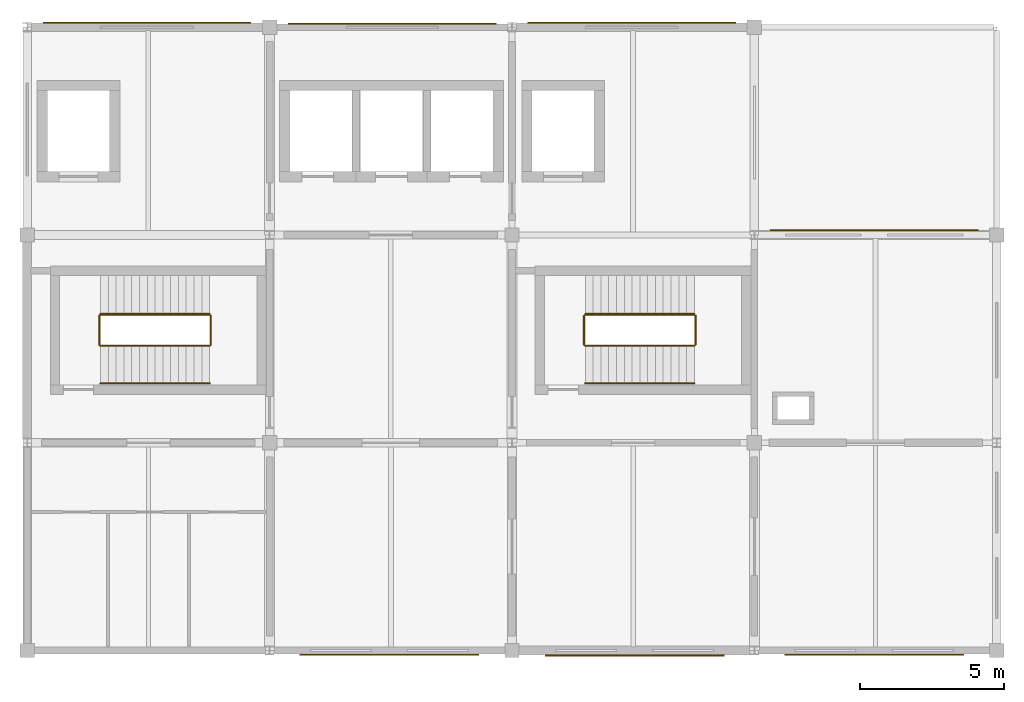
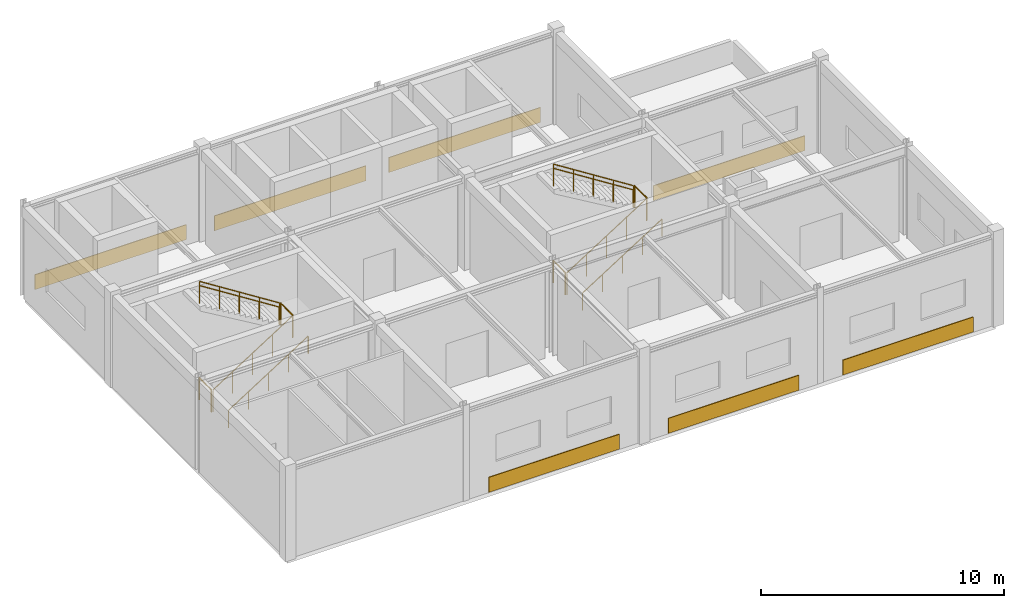
# One storey, part 5 of 5: 12 railings, 7 coverings.
"""IFC4 building model written with IfcOpenShell, lengths in metres."""

from ifc_helpers import new_model, si_unit, derived_unit, direction, frame, origin, origin_2d, place, context, subcontext, project, spatial, rectangle, circle, extrude, material, layer, layer_set, type_object, element, save


model = new_model("IFC4")

# Units and contexts
model_context = context("Model", 3, precision=1e-05, world=origin(), true_north=direction((0.0, 1.0)))
body_context = subcontext(model_context, "Body", "Model", "MODEL_VIEW")
ifc_project = project(units=[si_unit("LENGTHUNIT", "METRE"), si_unit("AREAUNIT", "SQUARE_METRE"), si_unit("VOLUMEUNIT", "CUBIC_METRE"), si_unit("PLANEANGLEUNIT", "RADIAN"), si_unit("MASSUNIT", "GRAM", prefix="KILO"), derived_unit("THERMALTRANSMITTANCEUNIT", [(si_unit("MASSUNIT", "GRAM", prefix="KILO"), 1), (si_unit("TIMEUNIT", "SECOND"), -3), (si_unit("THERMODYNAMICTEMPERATUREUNIT", "KELVIN"), -1)])], contexts=[model_context])

# Site, building, storey
site_placement = place(None, origin())
site = spatial("IfcSite", under=ifc_project, at=site_placement, CompositionType="ELEMENT")
building_placement = place(site_placement, origin())
building = spatial("IfcBuilding", under=site, at=building_placement, Name="Veldstrom Oceanarium and Marine Research Institute", CompositionType="ELEMENT")
storey_placement = place(building_placement, frame((0.0, 0.0, 69.0)))
storey = spatial("IfcBuildingStorey", under=building, at=storey_placement, Name="L15", CompositionType="ELEMENT", Elevation=69.0)

# Coverings
ifc_material_1 = material(Name="Anodised Aluminium Spandrel Rainscreen Cladding", Category="aluminium")
ifc_layer_1 = layer(ifc_material_1, 0.75)
ifc_layer_set_1 = layer_set([ifc_layer_1], Name="ARC-COV-CD1")
covering_type_1 = type_object("IfcCoveringType", Name="ARC-COV-CD1", PredefinedType="CLADDING", material=ifc_layer_set_1)
for number, where, z_axis, x_axis, name in (
    (1, (79.75, 64.95849609375, 0.044921875), (0.0, 0.0, 1.0), (1.0, 0.0, 0.0), "Spandrel Rainscreen Cladding L15-184"),
    (2, (88.25, 64.9208984375, 0.044921875), (0.0, 0.0, 1.0), (1.0, 0.0, 0.0), "Spandrel Rainscreen Cladding L15-186"),
    (3, (96.550048828125, 64.95849609375, 0.044921875), (0.0, 0.0, 1.0), (1.0, 0.0, 0.0), "Spandrel Rainscreen Cladding L15-188"),
    (4, (104.949951171875, 57.7685546875, 0.044921875), (0.0, 0.0, 1.0), (1.0, 0.0, 0.0), "Spandrel Rainscreen Cladding L15-190"),
):
    element("IfcCovering", number, at=place(storey_placement, frame(where, z_axis=z_axis, x_axis=x_axis)), inside=storey, type_object=covering_type_1, Name=name, PredefinedType="CLADDING", context=body_context, shape_type="SweptSolid", body=[
        extrude(rectangle(XDim=7.199951171875, YDim=0.034912109375, at=origin_2d()), origin(), (0.0, 0.0, 1.0), 0.75),
    ])
ifc_material_2 = material(Name="Terracotta Spandrel Rainscreen Cladding", Category="masonry")
ifc_layer_2 = layer(ifc_material_2, 0.75)
ifc_layer_set_2 = layer_set([ifc_layer_2], Name="ARC-COV-CD2")
covering_type_2 = type_object("IfcCoveringType", Name="ARC-COV-CD2", PredefinedType="CLADDING", material=ifc_layer_set_2)
for number, where, z_axis, x_axis, name in (
    (5, (88.14990234375, 43.05908203125, 0.044921875), (0.0, 0.0, 1.0), (1.0, 0.0, 0.0), "Spandrel Rainscreen Cladding L15-185"),
    (6, (96.64990234375, 43.029052734375, 0.044921875), (0.0, 0.0, 1.0), (1.0, 0.0, 0.0), "Spandrel Rainscreen Cladding L15-187"),
    (7, (104.949951171875, 43.05908203125, 0.044921875), (0.0, 0.0, 1.0), (1.0, 0.0, 0.0), "Spandrel Rainscreen Cladding L15-189"),
):
    element("IfcCovering", number, at=place(storey_placement, frame(where, z_axis=z_axis, x_axis=x_axis)), inside=storey, type_object=covering_type_2, Name=name, PredefinedType="CLADDING", context=body_context, shape_type="SweptSolid", body=[
        extrude(rectangle(XDim=6.199951171875, YDim=0.0400390625, at=origin_2d()), origin(), (0.0, 0.0, 1.0), 0.75),
    ])

# Railings
ifc_material_3 = material(Name="Duplex Stainless Steel Balustrade", Category="steel")
ifc_layer_3 = layer(ifc_material_3, 0.06005859375)
ifc_layer_set_3 = layer_set([ifc_layer_3], Name="ARC-RLG-GR1")
railing_type_1 = type_object("IfcRailingType", Name="ARC-RLG-GR1", PredefinedType="GUARDRAIL", material=ifc_layer_set_3)
railing_1_placement = place(storey_placement, frame((78.10009765625, 53.800048828125, 0.0)))
element("IfcRailing", 8, at=railing_1_placement, inside=storey, type_object=railing_type_1, Name="Stair Well Landing Guard ST1 L15", PredefinedType="GUARDRAIL", context=body_context, shape_type="SweptSolid", body=[
    extrude(circle(Radius=0.02392578125, at=origin_2d()), frame((0.0, 0.0, 1.09619140625), z_axis=(0.0, 1.0, 0.0), x_axis=(-1.0, 0.0, 0.0)), (0.0, 0.0, 1.0), 1.0),
    extrude(circle(Radius=0.02099609375, at=origin_2d()), origin(), (0.0, 0.0, 1.0), 1.072021484375),
    extrude(circle(Radius=0.02099609375, at=origin_2d()), frame((0.0, 1.0, 0.0)), (0.0, 0.0, 1.0), 1.072021484375),
])
railing_2_placement = place(storey_placement, frame((78.139892578125, 53.760009765625, 0.0)))
element("IfcRailing", 9, at=railing_2_placement, inside=storey, type_object=railing_type_1, Name="Stair Flight Guardrail ST1-L15-1", PredefinedType="GUARDRAIL", context=body_context, shape_type="SweptSolid", body=[
    extrude(circle(Radius=0.02392578125, at=origin_2d()), frame((0.0, 0.0, 1.09619140625), z_axis=(0.844224564207, 0.0, 0.535989631606), x_axis=(0.0, 1.0, 0.0)), (0.0, 0.0, 1.0), 4.4775390625),
    extrude(circle(Radius=0.02099609375, at=origin_2d()), origin(), (0.0, 0.0, 1.0), 1.072021484375),
    extrude(circle(Radius=0.02099609375, at=origin_2d()), frame((0.945068359375, 0.0, 0.60009765625)), (0.0, 0.0, 1.0), 1.072021484375),
    extrude(circle(Radius=0.02099609375, at=origin_2d()), frame((1.89013671875, 0.0, 1.199951171875)), (0.0, 0.0, 1.0), 1.072021484375),
    extrude(circle(Radius=0.02099609375, at=origin_2d()), frame((2.8349609375, 0.0, 1.7998046875)), (0.0, 0.0, 1.0), 1.072021484375),
    extrude(circle(Radius=0.02099609375, at=origin_2d()), frame((3.780029296875, 0.0, 2.39990234375)), (0.0, 0.0, 1.0), 1.072021484375),
])
railing_3_placement = place(storey_placement, frame((81.9599609375, 53.800048828125, 2.39990234375)))
element("IfcRailing", 10, at=railing_3_placement, inside=storey, type_object=railing_type_1, Name="Stair Half-Landing Guardrail ST1-L15", PredefinedType="GUARDRAIL", context=body_context, shape_type="SweptSolid", body=[
    extrude(circle(Radius=0.02392578125, at=origin_2d()), frame((0.0, 0.0, 1.09619140625), z_axis=(0.0, 1.0, 0.0), x_axis=(-1.0, 0.0, 0.0)), (0.0, 0.0, 1.0), 1.0),
    extrude(circle(Radius=0.02099609375, at=origin_2d()), origin(), (0.0, 0.0, 1.0), 1.072021484375),
    extrude(circle(Radius=0.02099609375, at=origin_2d()), frame((0.0, 1.0, 0.0)), (0.0, 0.0, 1.0), 1.072021484375),
])
railing_4_placement = place(storey_placement, frame((81.919921875, 54.840087890625, 2.39990234375)))
element("IfcRailing", 11, at=railing_4_placement, inside=storey, type_object=railing_type_1, Name="Stair Flight Guardrail ST1-L15-2", PredefinedType="GUARDRAIL", context=body_context, shape_type="SweptSolid", body=[
    extrude(circle(Radius=0.02392578125, at=origin_2d()), frame((0.0, 0.0, 1.09619140625), z_axis=(-0.844199891302, 0.0, 0.536028491338), x_axis=(0.0, -1.0, 0.0)), (0.0, 0.0, 1.0), 4.4775390625),
    extrude(circle(Radius=0.02099609375, at=origin_2d()), origin(), (0.0, 0.0, 1.0), 1.072021484375),
    extrude(circle(Radius=0.02099609375, at=origin_2d()), frame((-0.945068359375, 0.0, 0.60009765625)), (0.0, 0.0, 1.0), 1.072021484375),
    extrude(circle(Radius=0.02099609375, at=origin_2d()), frame((-1.89013671875, 0.0, 1.2001953125)), (0.0, 0.0, 1.0), 1.072021484375),
    extrude(circle(Radius=0.02099609375, at=origin_2d()), frame((-2.8349609375, 0.0, 1.800048828125)), (0.0, 0.0, 1.0), 1.072021484375),
    extrude(circle(Radius=0.02099609375, at=origin_2d()), frame((-3.780029296875, 0.0, 2.400146484375)), (0.0, 0.0, 1.0), 1.072021484375),
])
railing_5_placement = place(storey_placement, frame((94.89990234375, 53.800048828125, 0.0)))
element("IfcRailing", 12, at=railing_5_placement, inside=storey, type_object=railing_type_1, Name="Stair Well Landing Guard ST2 L15", PredefinedType="GUARDRAIL", context=body_context, shape_type="SweptSolid", body=[
    extrude(circle(Radius=0.02392578125, at=origin_2d()), frame((0.0, 0.0, 1.09619140625), z_axis=(0.0, 1.0, 0.0), x_axis=(-1.0, 0.0, 0.0)), (0.0, 0.0, 1.0), 1.0),
    extrude(circle(Radius=0.02099609375, at=origin_2d()), origin(), (0.0, 0.0, 1.0), 1.072021484375),
    extrude(circle(Radius=0.02099609375, at=origin_2d()), frame((0.0, 1.0, 0.0)), (0.0, 0.0, 1.0), 1.072021484375),
])
railing_6_placement = place(storey_placement, frame((94.93994140625, 53.760009765625, 0.0)))
element("IfcRailing", 13, at=railing_6_placement, inside=storey, type_object=railing_type_1, Name="Stair Flight Guardrail ST2-L15-1", PredefinedType="GUARDRAIL", context=body_context, shape_type="SweptSolid", body=[
    extrude(circle(Radius=0.02392578125, at=origin_2d()), frame((0.0, 0.0, 1.09619140625), z_axis=(0.844224564207, 0.0, 0.535989631606), x_axis=(0.0, 1.0, 0.0)), (0.0, 0.0, 1.0), 4.4775390625),
    extrude(circle(Radius=0.02099609375, at=origin_2d()), origin(), (0.0, 0.0, 1.0), 1.072021484375),
    extrude(circle(Radius=0.02099609375, at=origin_2d()), frame((0.945068359375, 0.0, 0.60009765625)), (0.0, 0.0, 1.0), 1.072021484375),
    extrude(circle(Radius=0.02099609375, at=origin_2d()), frame((1.89013671875, 0.0, 1.199951171875)), (0.0, 0.0, 1.0), 1.072021484375),
    extrude(circle(Radius=0.02099609375, at=origin_2d()), frame((2.8349609375, 0.0, 1.7998046875)), (0.0, 0.0, 1.0), 1.072021484375),
    extrude(circle(Radius=0.02099609375, at=origin_2d()), frame((3.780029296875, 0.0, 2.39990234375)), (0.0, 0.0, 1.0), 1.072021484375),
])
railing_7_placement = place(storey_placement, frame((98.760009765625, 53.800048828125, 2.39990234375)))
element("IfcRailing", 14, at=railing_7_placement, inside=storey, type_object=railing_type_1, Name="Stair Half-Landing Guardrail ST2-L15", PredefinedType="GUARDRAIL", context=body_context, shape_type="SweptSolid", body=[
    extrude(circle(Radius=0.02392578125, at=origin_2d()), frame((0.0, 0.0, 1.09619140625), z_axis=(0.0, 1.0, 0.0), x_axis=(-1.0, 0.0, 0.0)), (0.0, 0.0, 1.0), 1.0),
    extrude(circle(Radius=0.02099609375, at=origin_2d()), origin(), (0.0, 0.0, 1.0), 1.072021484375),
    extrude(circle(Radius=0.02099609375, at=origin_2d()), frame((0.0, 1.0, 0.0)), (0.0, 0.0, 1.0), 1.072021484375),
])
railing_8_placement = place(storey_placement, frame((98.719970703125, 54.840087890625, 2.39990234375)))
element("IfcRailing", 15, at=railing_8_placement, inside=storey, type_object=railing_type_1, Name="Stair Flight Guardrail ST2-L15-2", PredefinedType="GUARDRAIL", context=body_context, shape_type="SweptSolid", body=[
    extrude(circle(Radius=0.02392578125, at=origin_2d()), frame((0.0, 0.0, 1.09619140625), z_axis=(-0.844199891302, 0.0, 0.536028491338), x_axis=(0.0, -1.0, 0.0)), (0.0, 0.0, 1.0), 4.4775390625),
    extrude(circle(Radius=0.02099609375, at=origin_2d()), origin(), (0.0, 0.0, 1.0), 1.072021484375),
    extrude(circle(Radius=0.02099609375, at=origin_2d()), frame((-0.945068359375, 0.0, 0.60009765625)), (0.0, 0.0, 1.0), 1.072021484375),
    extrude(circle(Radius=0.02099609375, at=origin_2d()), frame((-1.89013671875, 0.0, 1.2001953125)), (0.0, 0.0, 1.0), 1.072021484375),
    extrude(circle(Radius=0.02099609375, at=origin_2d()), frame((-2.8349609375, 0.0, 1.800048828125)), (0.0, 0.0, 1.0), 1.072021484375),
    extrude(circle(Radius=0.02099609375, at=origin_2d()), frame((-3.780029296875, 0.0, 2.400146484375)), (0.0, 0.0, 1.0), 1.072021484375),
])
ifc_material_4 = material(Name="Brushed Stainless Steel Handrail", Category="steel")
ifc_layer_4 = layer(ifc_material_4, 0.050048828125)
ifc_layer_set_4 = layer_set([ifc_layer_4], Name="ARC-RLG-HR1")
railing_type_2 = type_object("IfcRailingType", Name="ARC-RLG-HR1", PredefinedType="HANDRAIL", material=ifc_layer_set_4)
railing_9_placement = place(storey_placement, frame((78.139892578125, 52.4599609375, 0.0)))
element("IfcRailing", 16, at=railing_9_placement, inside=storey, type_object=railing_type_2, Name="Stair Wall Handrail ST1-L15-1", PredefinedType="HANDRAIL", context=body_context, shape_type="SweptSolid", body=[
    extrude(circle(Radius=0.02392578125, at=origin_2d()), frame((0.0, 0.0, 0.8759765625), z_axis=(0.844224564207, 0.0, 0.535989631606), x_axis=(0.0, 1.0, 0.0)), (0.0, 0.0, 1.0), 4.4775390625),
    extrude(circle(Radius=0.02099609375, at=origin_2d()), origin(), (0.0, 0.0, 1.0), 0.851806640625),
    extrude(circle(Radius=0.02099609375, at=origin_2d()), frame((0.945068359375, 0.0, 0.60009765625)), (0.0, 0.0, 1.0), 0.851806640625),
    extrude(circle(Radius=0.02099609375, at=origin_2d()), frame((1.89013671875, 0.0, 1.199951171875)), (0.0, 0.0, 1.0), 0.851806640625),
    extrude(circle(Radius=0.02099609375, at=origin_2d()), frame((2.8349609375, 0.0, 1.7998046875)), (0.0, 0.0, 1.0), 0.851806640625),
    extrude(circle(Radius=0.02099609375, at=origin_2d()), frame((3.780029296875, 0.0, 2.39990234375)), (0.0, 0.0, 1.0), 0.851806640625),
])
railing_10_placement = place(storey_placement, frame((81.919921875, 54.860107421875, 2.39990234375)))
element("IfcRailing", 17, at=railing_10_placement, inside=storey, type_object=railing_type_2, Name="Stair Wall Handrail ST1-L15-2", PredefinedType="HANDRAIL", context=body_context, shape_type="SweptSolid", body=[
    extrude(circle(Radius=0.02392578125, at=origin_2d()), frame((0.0, 0.0, 0.8759765625), z_axis=(-0.844199891302, 0.0, 0.536028491338), x_axis=(0.0, -1.0, 0.0)), (0.0, 0.0, 1.0), 4.4775390625),
    extrude(circle(Radius=0.02099609375, at=origin_2d()), origin(), (0.0, 0.0, 1.0), 0.851806640625),
    extrude(circle(Radius=0.02099609375, at=origin_2d()), frame((-0.945068359375, 0.0, 0.60009765625)), (0.0, 0.0, 1.0), 0.851806640625),
    extrude(circle(Radius=0.02099609375, at=origin_2d()), frame((-1.89013671875, 0.0, 1.2001953125)), (0.0, 0.0, 1.0), 0.851806640625),
    extrude(circle(Radius=0.02099609375, at=origin_2d()), frame((-2.8349609375, 0.0, 1.800048828125)), (0.0, 0.0, 1.0), 0.851806640625),
    extrude(circle(Radius=0.02099609375, at=origin_2d()), frame((-3.780029296875, 0.0, 2.400146484375)), (0.0, 0.0, 1.0), 0.851806640625),
])
railing_11_placement = place(storey_placement, frame((94.93994140625, 52.4599609375, 0.0)))
element("IfcRailing", 18, at=railing_11_placement, inside=storey, type_object=railing_type_2, Name="Stair Wall Handrail ST2-L15-1", PredefinedType="HANDRAIL", context=body_context, shape_type="SweptSolid", body=[
    extrude(circle(Radius=0.02392578125, at=origin_2d()), frame((0.0, 0.0, 0.8759765625), z_axis=(0.844224564207, 0.0, 0.535989631606), x_axis=(0.0, 1.0, 0.0)), (0.0, 0.0, 1.0), 4.4775390625),
    extrude(circle(Radius=0.02099609375, at=origin_2d()), origin(), (0.0, 0.0, 1.0), 0.851806640625),
    extrude(circle(Radius=0.02099609375, at=origin_2d()), frame((0.945068359375, 0.0, 0.60009765625)), (0.0, 0.0, 1.0), 0.851806640625),
    extrude(circle(Radius=0.02099609375, at=origin_2d()), frame((1.89013671875, 0.0, 1.199951171875)), (0.0, 0.0, 1.0), 0.851806640625),
    extrude(circle(Radius=0.02099609375, at=origin_2d()), frame((2.8349609375, 0.0, 1.7998046875)), (0.0, 0.0, 1.0), 0.851806640625),
    extrude(circle(Radius=0.02099609375, at=origin_2d()), frame((3.780029296875, 0.0, 2.39990234375)), (0.0, 0.0, 1.0), 0.851806640625),
])
railing_12_placement = place(storey_placement, frame((98.719970703125, 54.860107421875, 2.39990234375)))
element("IfcRailing", 19, at=railing_12_placement, inside=storey, type_object=railing_type_2, Name="Stair Wall Handrail ST2-L15-2", PredefinedType="HANDRAIL", context=body_context, shape_type="SweptSolid", body=[
    extrude(circle(Radius=0.02392578125, at=origin_2d()), frame((0.0, 0.0, 0.8759765625), z_axis=(-0.844199891302, 0.0, 0.536028491338), x_axis=(0.0, -1.0, 0.0)), (0.0, 0.0, 1.0), 4.4775390625),
    extrude(circle(Radius=0.02099609375, at=origin_2d()), origin(), (0.0, 0.0, 1.0), 0.851806640625),
    extrude(circle(Radius=0.02099609375, at=origin_2d()), frame((-0.945068359375, 0.0, 0.60009765625)), (0.0, 0.0, 1.0), 0.851806640625),
    extrude(circle(Radius=0.02099609375, at=origin_2d()), frame((-1.89013671875, 0.0, 1.2001953125)), (0.0, 0.0, 1.0), 0.851806640625),
    extrude(circle(Radius=0.02099609375, at=origin_2d()), frame((-2.8349609375, 0.0, 1.800048828125)), (0.0, 0.0, 1.0), 0.851806640625),
    extrude(circle(Radius=0.02099609375, at=origin_2d()), frame((-3.780029296875, 0.0, 2.400146484375)), (0.0, 0.0, 1.0), 0.851806640625),
])

save(model, "model.ifc")
